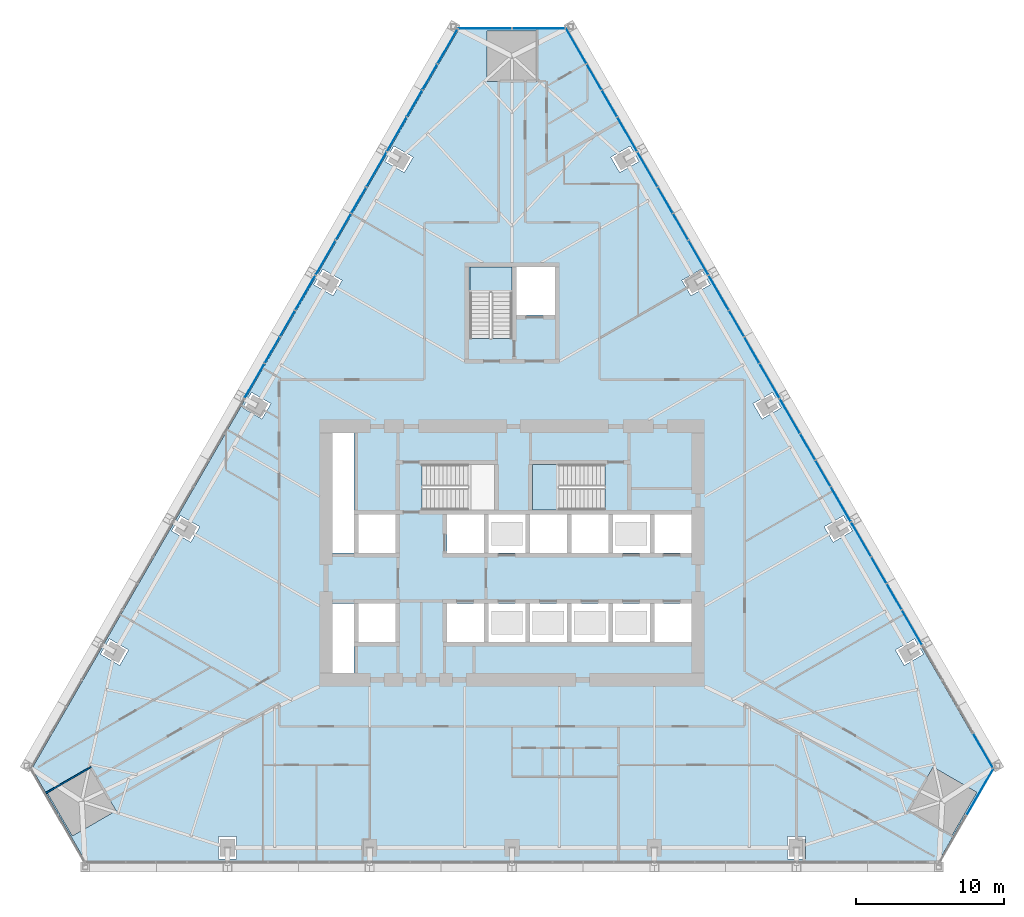
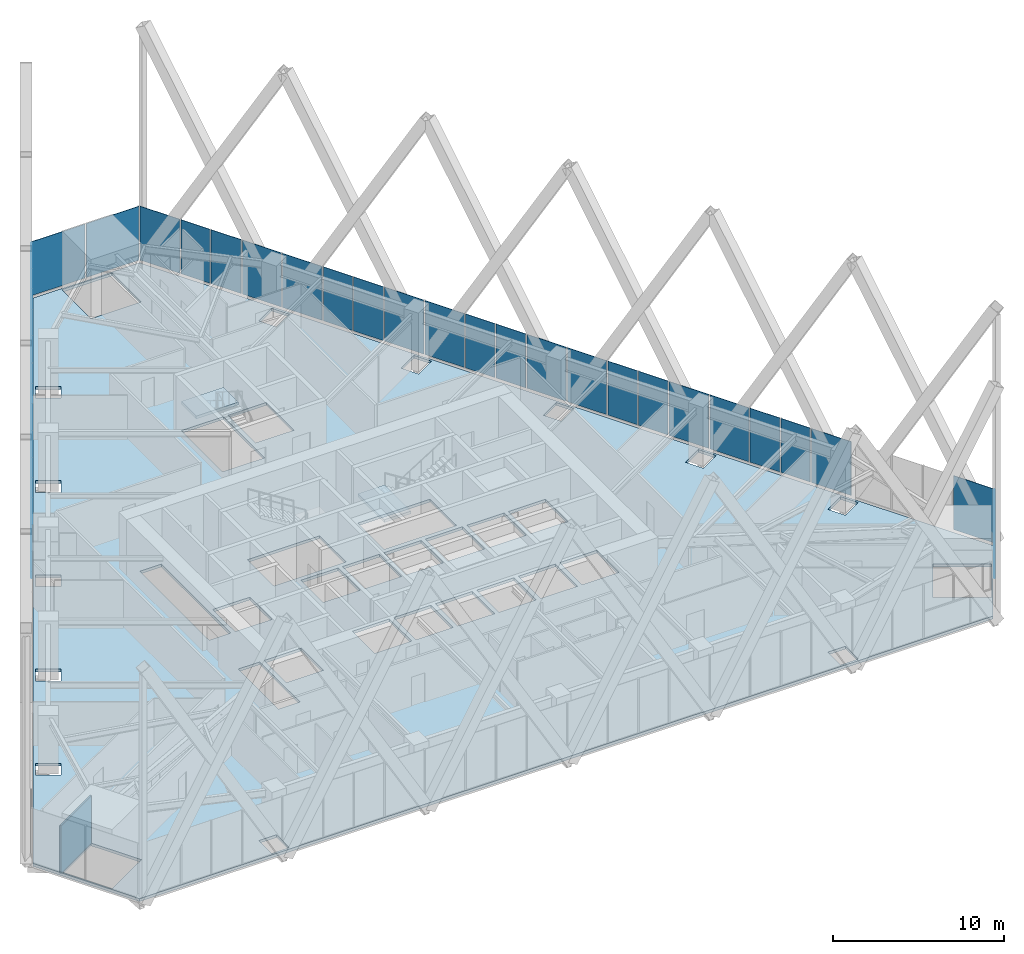
# One storey, part 16 of 26: 36 plates, 3 slabs, 1 wall, 6 elements without a shape of their own.
"""IFC4 building model written with IfcOpenShell, lengths in metres."""

from ifc_helpers import new_model, si_unit, direction, frame, frame_2d, origin, place, context, subcontext, project, spatial, polyline, rectangle, outline, extrude, material, layer, layer_set, type_object, element, aggregate, save


model = new_model("IFC4")

# Units and contexts
model_context = context("Model", 3, precision=1e-05, world=origin(), true_north=direction((0.0, 1.0)))
body_context = subcontext(model_context, "Body", "Model", "MODEL_VIEW")
ifc_project = project(units=[si_unit("LENGTHUNIT", "METRE"), si_unit("AREAUNIT", "SQUARE_METRE"), si_unit("VOLUMEUNIT", "CUBIC_METRE"), si_unit("PLANEANGLEUNIT", "RADIAN"), si_unit("MASSUNIT", "GRAM", prefix="KILO")], contexts=[model_context])

# Site, building, storey
site_placement = place(None, origin())
site = spatial("IfcSite", under=ifc_project, at=site_placement, CompositionType="ELEMENT")
building_placement = place(site_placement, origin())
building = spatial("IfcBuilding", under=site, at=building_placement, Name="Firuza Gate Tower and Library", CompositionType="ELEMENT")
storey_placement = place(building_placement, frame((0.0, 0.0, 40.0)))
storey = spatial("IfcBuildingStorey", under=building, at=storey_placement, Name="L08", CompositionType="ELEMENT", Elevation=40.0)

# Slab
ifc_material_1 = material(Name="Concrete C40/50", Category="concrete")
ifc_layer_1 = layer(ifc_material_1, 0.199951171875)
ifc_layer_set_1 = layer_set([ifc_layer_1], Name="Composite floor slab 200 C40/50")
slab_type_1 = type_object("IfcSlabType", Name="Composite floor slab 200 C40/50", PredefinedType="FLOOR", material=ifc_layer_set_1)
slab_1_placement = place(storey_placement, frame((0.0, 0.0, -0.199951171875)))
element("IfcSlab", 1, at=slab_1_placement, inside=storey, type_object=slab_type_1, Name="Floor slab L08", PredefinedType="FLOOR", context=body_context, shape_type="SweptSolid", body=[
    extrude(outline(polyline([(42.60009765625, 60.45068359375), (46.199951171875, 54.21533203125), (103.800048828125, 54.21533203125), (107.39990234375, 60.45068359375), (78.60009765625, 110.333740234375), (71.39990234375, 110.333740234375), (42.60009765625, 60.45068359375)]), holes=[polyline([(55.199951171875, 54.365478515625), (55.199951171875, 55.865478515625), (56.39990234375, 55.865478515625), (56.39990234375, 54.365478515625), (55.199951171875, 54.365478515625)]), polyline([(43.63671875, 58.855224609375), (46.5810546875, 60.555419921875), (48.281005859375, 57.61083984375), (45.336669921875, 55.910888671875), (43.63671875, 58.855224609375)]), polyline([(47.829833984375, 69.209228515625), (49.12890625, 68.459228515625), (48.529052734375, 67.419921875), (47.22998046875, 68.169921875), (47.829833984375, 69.209228515625)]), polyline([(64.35009765625, 66.89990234375), (62.89990234375, 66.89990234375), (62.89990234375, 71.60009765625), (64.35009765625, 71.60009765625), (64.35009765625, 66.89990234375)]), polyline([(75.89990234375, 69.0), (73.39990234375, 69.0), (73.39990234375, 71.60009765625), (75.89990234375, 71.60009765625), (75.89990234375, 69.0)]), polyline([(73.10009765625, 69.0), (70.60009765625, 69.0), (70.60009765625, 71.60009765625), (73.10009765625, 71.60009765625), (73.10009765625, 69.0)]), polyline([(67.14990234375, 69.0), (64.64990234375, 69.0), (64.64990234375, 71.60009765625), (67.14990234375, 71.60009765625), (67.14990234375, 69.0)]), polyline([(67.14990234375, 75.0), (64.64990234375, 75.0), (64.64990234375, 77.60009765625), (67.14990234375, 77.60009765625), (67.14990234375, 75.0)]), polyline([(75.89990234375, 75.0), (73.39990234375, 75.0), (73.39990234375, 77.60009765625), (75.89990234375, 77.60009765625), (75.89990234375, 75.0)]), polyline([(73.10009765625, 75.0), (70.60009765625, 75.0), (70.60009765625, 77.60009765625), (73.10009765625, 77.60009765625), (73.10009765625, 75.0)]), polyline([(52.6298828125, 77.523193359375), (53.928955078125, 76.773193359375), (53.328857421875, 75.73388671875), (52.02978515625, 76.48388671875), (52.6298828125, 77.523193359375)]), polyline([(64.35009765625, 75.0), (62.89990234375, 75.0), (62.89990234375, 83.10009765625), (64.35009765625, 83.10009765625), (64.35009765625, 75.0)]), polyline([(73.81005859375, 77.89990234375), (68.9404296875, 77.89990234375), (68.9404296875, 80.97998046875), (73.81005859375, 80.97998046875), (73.81005859375, 77.89990234375)]), polyline([(57.429931640625, 85.8369140625), (58.72900390625, 85.0869140625), (58.12890625, 84.047607421875), (56.829833984375, 84.797607421875), (57.429931640625, 85.8369140625)]), polyline([(72.159912109375, 89.470458984375), (72.159912109375, 94.300048828125), (75.0, 94.300048828125), (75.0, 89.470458984375), (72.159912109375, 89.470458984375)]), polyline([(63.529052734375, 93.40087890625), (62.928955078125, 92.361572265625), (61.6298828125, 93.111572265625), (62.22998046875, 94.15087890625), (63.529052734375, 93.40087890625)]), polyline([(68.328857421875, 101.714599609375), (67.72900390625, 100.67529296875), (66.429931640625, 101.42529296875), (67.02978515625, 102.464599609375), (68.328857421875, 101.714599609375)]), polyline([(76.699951171875, 110.23388671875), (76.699951171875, 106.833740234375), (73.300048828125, 106.833740234375), (73.300048828125, 110.23388671875), (76.699951171875, 110.23388671875)]), polyline([(93.60009765625, 54.365478515625), (93.60009765625, 55.865478515625), (94.800048828125, 55.865478515625), (94.800048828125, 54.365478515625), (93.60009765625, 54.365478515625)]), polyline([(104.663330078125, 55.910888671875), (101.718994140625, 57.61083984375), (103.4189453125, 60.555419921875), (106.36328125, 58.855224609375), (104.663330078125, 55.910888671875)]), polyline([(102.77001953125, 68.169921875), (101.470947265625, 67.419921875), (100.87109375, 68.459228515625), (102.170166015625, 69.209228515625), (102.77001953125, 68.169921875)]), polyline([(78.699951171875, 69.0), (76.199951171875, 69.0), (76.199951171875, 71.60009765625), (78.699951171875, 71.60009765625), (78.699951171875, 69.0)]), polyline([(87.10009765625, 69.0), (84.60009765625, 69.0), (84.60009765625, 71.60009765625), (87.10009765625, 71.60009765625), (87.10009765625, 69.0)]), polyline([(84.300048828125, 69.0), (81.800048828125, 69.0), (81.800048828125, 71.60009765625), (84.300048828125, 71.60009765625), (84.300048828125, 69.0)]), polyline([(79.0, 69.0), (79.0, 71.60009765625), (81.5, 71.60009765625), (81.5, 69.0), (79.0, 69.0)]), polyline([(81.800048828125, 75.0), (81.800048828125, 77.60009765625), (84.300048828125, 77.60009765625), (84.300048828125, 75.0), (81.800048828125, 75.0)]), polyline([(81.5, 75.0), (79.0, 75.0), (79.0, 77.60009765625), (81.5, 77.60009765625), (81.5, 75.0)]), polyline([(87.10009765625, 75.0), (84.60009765625, 75.0), (84.60009765625, 77.60009765625), (87.10009765625, 77.60009765625), (87.10009765625, 75.0)]), polyline([(78.699951171875, 75.0), (76.199951171875, 75.0), (76.199951171875, 77.60009765625), (78.699951171875, 77.60009765625), (78.699951171875, 75.0)]), polyline([(97.97021484375, 76.48388671875), (96.671142578125, 75.73388671875), (96.071044921875, 76.773193359375), (97.3701171875, 77.523193359375), (97.97021484375, 76.48388671875)]), polyline([(81.259521484375, 77.89990234375), (76.389892578125, 77.89990234375), (76.389892578125, 80.97998046875), (81.259521484375, 80.97998046875), (81.259521484375, 77.89990234375)]), polyline([(93.170166015625, 84.797607421875), (91.87109375, 84.047607421875), (91.27099609375, 85.0869140625), (92.570068359375, 85.8369140625), (93.170166015625, 84.797607421875)]), polyline([(77.89990234375, 91.050048828125), (75.300048828125, 91.050048828125), (75.300048828125, 94.300048828125), (77.89990234375, 94.300048828125), (77.89990234375, 91.050048828125)]), polyline([(87.071044921875, 92.361572265625), (86.470947265625, 93.40087890625), (87.77001953125, 94.15087890625), (88.3701171875, 93.111572265625), (87.071044921875, 92.361572265625)]), polyline([(82.27099609375, 100.67529296875), (81.671142578125, 101.714599609375), (82.97021484375, 102.464599609375), (83.570068359375, 101.42529296875), (82.27099609375, 100.67529296875)])]), origin(), (0.0, 0.0, 1.0), 0.199951171875),
])

# Curtain wall, plate
ifc_material_2 = material(Name="Aluminium 6063-T6", Category="aluminium")
ifc_layer_2 = layer(ifc_material_2, 0.14990234375)
ifc_layer_set_2 = layer_set([ifc_layer_2], Name="Corner curtain wall, chamfers")
curtain_wall_type_1 = type_object("IfcCurtainWallType", Name="Corner curtain wall, chamfers", PredefinedType="NOTDEFINED", material=ifc_layer_set_2)
placement_1 = place(storey_placement, origin())
curtain_wall_1 = element("IfcCurtainWall", 2, at=placement_1, inside=storey, type_object=curtain_wall_type_1, Name="CW4 L08 SE corner", PredefinedType="NOTDEFINED")
ifc_material_3 = material(Name="Fritted glass", Category="glass")
ifc_layer_3 = layer(ifc_material_3, 0.030029296875)
ifc_layer_set_3 = layer_set([ifc_layer_3], Name="Fritted glass unit, corners")
plate_type_1 = type_object("IfcPlateType", Name="Fritted glass unit, corners", PredefinedType="CURTAIN_PANEL", material=ifc_layer_set_3)
plate_1_placement = place(storey_placement, frame((105.697998046875, 57.32275390625, 0.14990234375), z_axis=(0.866046390552, -0.49996364809, 0.0), x_axis=(0.49996364809, 0.866046390552, 0.0)))
plate_1 = element("IfcPlate", 3, at=plate_1_placement, type_object=plate_type_1, Name="Glass unit", PredefinedType="CURTAIN_PANEL", context=body_context, shape_type="SweptSolid", body=[
    extrude(outline(polyline([(0.0, 0.0), (3.563247342942594, 0.0), (3.563247342942594, 3.85009765625), (0.0, 3.85009765625), (0.0, 0.0)])), origin(), (0.0, 0.0, -1.0), 0.030029296875),
])
aggregate(curtain_wall_1, [plate_1])

# Curtain wall, plates
curtain_wall_2 = element("IfcCurtainWall", 4, at=placement_1, inside=storey, type_object=curtain_wall_type_1, Name="CW4 L08 N corner", PredefinedType="NOTDEFINED")
plate_2_placement = place(storey_placement, frame((78.603271484375, 110.423828125, 0.14990234375), z_axis=(0.0, 1.0, 0.0), x_axis=(-1.0, 0.0, 0.0)))
plate_2 = element("IfcPlate", 5, at=plate_2_placement, type_object=plate_type_1, Name="Glass unit", PredefinedType="CURTAIN_PANEL", context=body_context, shape_type="SweptSolid", body=[
    extrude(outline(polyline([(0.0, 0.0), (3.563232421875, 0.0), (3.563232421875, 3.85009765625), (0.0, 3.85009765625), (0.0, 0.0)])), origin(), (0.0, 0.0, -1.0), 0.030029296875),
])
plate_3_placement = place(storey_placement, frame((74.9599609375, 110.423828125, 0.14990234375), z_axis=(0.0, 1.0, 0.0), x_axis=(-1.0, 0.0, 0.0)))
plate_3 = element("IfcPlate", 6, at=plate_3_placement, type_object=plate_type_1, Name="Glass unit", PredefinedType="CURTAIN_PANEL", context=body_context, shape_type="SweptSolid", body=[
    extrude(outline(polyline([(0.0, 0.0), (3.563232421875, 0.0), (3.563232421875, 3.85009765625), (0.0, 3.85009765625), (0.0, 0.0)])), origin(), (0.0, 0.0, -1.0), 0.030029296875),
])
aggregate(curtain_wall_2, [plate_2, plate_3])

ifc_material_4 = material(Name="Aluminium 6063-T6", Category="aluminium")
ifc_layer_4 = layer(ifc_material_4, 0.14990234375)
ifc_layer_set_4 = layer_set([ifc_layer_4], Name="Unitised curtain wall, offices")
curtain_wall_type_2 = type_object("IfcCurtainWallType", Name="Unitised curtain wall, offices", PredefinedType="NOTDEFINED", material=ifc_layer_set_4)
curtain_wall_3 = element("IfcCurtainWall", 7, at=placement_1, inside=storey, type_object=curtain_wall_type_2, Name="CW1 L08 E face", PredefinedType="NOTDEFINED")
ifc_material_5 = material(Name="Fritted glass", Category="glass")
ifc_layer_5 = layer(ifc_material_5, 0.030029296875)
ifc_layer_set_5 = layer_set([ifc_layer_5], Name="Fritted glass unit, offices")
plate_type_2 = type_object("IfcPlateType", Name="Fritted glass unit, offices", PredefinedType="CURTAIN_PANEL", material=ifc_layer_set_5)
plate_4_placement = place(storey_placement, frame((101.291015625, 71.2119140625, 0.14990234375), z_axis=(0.86602414853, 0.500002174158, 0.0), x_axis=(-0.500002174158, 0.86602414853, 0.0)))
plate_4 = element("IfcPlate", 8, at=plate_4_placement, type_object=plate_type_2, Name="Glass unit", PredefinedType="CURTAIN_PANEL", context=body_context, shape_type="SweptSolid", body=[
    extrude(outline(polyline([(0.0, 0.0), (1.9643469271472958, 0.0), (1.9643469271472958, 3.85009765625), (0.0, 3.85009765625), (0.0, 0.0)])), origin(), (0.0, 0.0, -1.0), 0.030029296875),
])
plate_5_placement = place(storey_placement, frame((100.268798828125, 72.982421875, 0.14990234375), z_axis=(0.866019539041, 0.500010157896, 0.0), x_axis=(-0.500010157896, 0.866019539041, 0.0)))
plate_5 = element("IfcPlate", 9, at=plate_5_placement, type_object=plate_type_2, Name="Glass unit", PredefinedType="CURTAIN_PANEL", context=body_context, shape_type="SweptSolid", body=[
    extrude(outline(polyline([(0.0, 0.0), (2.0077717105269732, 0.0), (2.0077717105269732, 3.85009765625), (0.0, 3.85009765625), (0.0, 0.0)])), origin(), (0.0, 0.0, -1.0), 0.030029296875),
])
plate_6_placement = place(storey_placement, frame((96.490966796875, 79.525634765625, 0.14990234375), z_axis=(0.866025344474, 0.500000102728, 0.0), x_axis=(-0.500000102728, 0.866025344474, 0.0)))
plate_6 = element("IfcPlate", 10, at=plate_6_placement, type_object=plate_type_2, Name="Glass unit", PredefinedType="CURTAIN_PANEL", context=body_context, shape_type="SweptSolid", body=[
    extrude(outline(polyline([(0.0, 0.0), (1.9790034996501018, 0.0), (1.9790034996501018, 3.85009765625), (0.0, 3.85009765625), (0.0, 0.0)])), origin(), (0.0, 0.0, -1.0), 0.030029296875),
])
plate_7_placement = place(storey_placement, frame((95.461669921875, 81.308837890625, 0.14990234375), z_axis=(0.865995903571, 0.500051092388, 0.0), x_axis=(-0.500051092388, 0.865995903571, 0.0)))
plate_7 = element("IfcPlate", 11, at=plate_7_placement, type_object=plate_type_2, Name="Glass unit", PredefinedType="CURTAIN_PANEL", context=body_context, shape_type="SweptSolid", body=[
    extrude(outline(polyline([(0.0, 0.0), (1.9934486436450174, 0.0), (1.9934486436450174, 3.85009765625), (0.0, 3.85009765625), (0.0, 0.0)])), origin(), (0.0, 0.0, -1.0), 0.030029296875),
])
plate_8_placement = place(storey_placement, frame((91.69091796875, 87.839599609375, 0.14990234375), z_axis=(0.86604893727, 0.499959236591, 0.0), x_axis=(-0.499959236591, 0.86604893727, 0.0)))
plate_8 = element("IfcPlate", 12, at=plate_8_placement, type_object=plate_type_2, Name="Glass unit", PredefinedType="CURTAIN_PANEL", context=body_context, shape_type="SweptSolid", body=[
    extrude(outline(polyline([(0.0, 0.0), (1.9933265720713123, 0.0), (1.9933265720713123, 3.85009765625), (0.0, 3.85009765625), (0.0, 0.0)])), origin(), (0.0, 0.0, -1.0), 0.030029296875),
])
plate_9_placement = place(storey_placement, frame((90.654296875, 89.635009765625, 0.14990234375), z_axis=(0.866025344474, 0.500000102728, 0.0), x_axis=(-0.500000102728, 0.866025344474, 0.0)))
plate_9 = element("IfcPlate", 13, at=plate_9_placement, type_object=plate_type_2, Name="Glass unit", PredefinedType="CURTAIN_PANEL", context=body_context, shape_type="SweptSolid", body=[
    extrude(outline(polyline([(0.0, 0.0), (1.9790034996501018, 0.0), (1.9790034996501018, 3.85009765625), (0.0, 3.85009765625), (0.0, 0.0)])), origin(), (0.0, 0.0, -1.0), 0.030029296875),
])
plate_10_placement = place(storey_placement, frame((86.89111328125, 96.1533203125, 0.14990234375), z_axis=(0.866019539041, 0.500010157896, 0.0), x_axis=(-0.500010157896, 0.866019539041, 0.0)))
plate_10 = element("IfcPlate", 14, at=plate_10_placement, type_object=plate_type_2, Name="Glass unit", PredefinedType="CURTAIN_PANEL", context=body_context, shape_type="SweptSolid", body=[
    extrude(outline(polyline([(0.0, 0.0), (2.0077717105269732, 0.0), (2.0077717105269732, 3.85009765625), (0.0, 3.85009765625), (0.0, 0.0)])), origin(), (0.0, 0.0, -1.0), 0.030029296875),
])
plate_11_placement = place(storey_placement, frame((85.84716796875, 97.96142578125, 0.14990234375), z_axis=(0.866001405711, 0.500041563579, 0.0), x_axis=(-0.500041563579, 0.866001405711, 0.0)))
plate_11 = element("IfcPlate", 15, at=plate_11_placement, type_object=plate_type_2, Name="Glass unit", PredefinedType="CURTAIN_PANEL", context=body_context, shape_type="SweptSolid", body=[
    extrude(outline(polyline([(0.0, 0.0), (1.964680431699712, 0.0), (1.964680431699712, 3.850097656250001), (0.0, 3.850097656250001), (0.0, 0.0)])), origin(), (0.0, 0.0, -1.0), 0.030029296875),
])
plate_12_placement = place(storey_placement, frame((82.091064453125, 104.46728515625, 0.14990234375), z_axis=(0.865990557877, 0.500060350025, 0.0), x_axis=(-0.500060350025, 0.865990557877, 0.0)))
plate_12 = element("IfcPlate", 16, at=plate_12_placement, type_object=plate_type_2, Name="Glass unit", PredefinedType="CURTAIN_PANEL", context=body_context, shape_type="SweptSolid", body=[
    extrude(outline(polyline([(0.0, 0.0), (2.022216855824806, 0.0), (2.022216855824806, 3.85009765625), (0.0, 3.85009765625), (0.0, 0.0)])), origin(), (0.0, 0.0, -1.0), 0.030029296875),
])
plate_13_placement = place(storey_placement, frame((81.039794921875, 106.287841796875, 0.14990234375), z_axis=(0.866054235095, 0.49995005938, 0.0), x_axis=(-0.49995005938, 0.866054235095, 0.0)))
plate_13 = element("IfcPlate", 17, at=plate_13_placement, type_object=plate_type_2, Name="Glass unit", PredefinedType="CURTAIN_PANEL", context=body_context, shape_type="SweptSolid", body=[
    extrude(outline(polyline([(0.0, 0.0), (1.9499017898574833, 0.0), (1.9499017898574833, 3.85009765625), (0.0, 3.85009765625), (0.0, 0.0)])), origin(), (0.0, 0.0, -1.0), 0.030029296875),
])

curtain_wall_4 = element("IfcCurtainWall", 18, at=placement_1, inside=storey, type_object=curtain_wall_type_2, Name="CW1 L08 W face", PredefinedType="NOTDEFINED")
plate_14_placement = place(storey_placement, frame((69.93505859375, 107.9765625, 0.14990234375), z_axis=(-0.866054235095, 0.49995005938, 0.0), x_axis=(-0.49995005938, -0.866054235095, 0.0)))
plate_14 = element("IfcPlate", 19, at=plate_14_placement, type_object=plate_type_2, Name="Glass unit", PredefinedType="CURTAIN_PANEL", context=body_context, shape_type="SweptSolid", body=[
    extrude(outline(polyline([(0.0, 0.0), (1.9499017898574833, 0.0), (1.9499017898574833, 3.85009765625), (0.0, 3.85009765625), (0.0, 0.0)])), origin(), (0.0, 0.0, -1.0), 0.030029296875),
])
plate_15_placement = place(storey_placement, frame((68.920166015625, 106.218505859375, 0.14990234375), z_axis=(-0.865990557877, 0.500060350025, 0.0), x_axis=(-0.500060350025, -0.865990557877, 0.0)))
plate_15 = element("IfcPlate", 20, at=plate_15_placement, type_object=plate_type_2, Name="Glass unit", PredefinedType="CURTAIN_PANEL", context=body_context, shape_type="SweptSolid", body=[
    extrude(outline(polyline([(0.0, 0.0), (2.022216855824806, 0.0), (2.022216855824806, 3.85009765625), (0.0, 3.85009765625), (0.0, 0.0)])), origin(), (0.0, 0.0, -1.0), 0.030029296875),
])
plate_16_placement = place(storey_placement, frame((65.13525390625, 99.662841796875, 0.14990234375), z_axis=(-0.866001405711, 0.500041563579, 0.0), x_axis=(-0.500041563579, -0.866001405711, 0.0)))
plate_16 = element("IfcPlate", 21, at=plate_16_placement, type_object=plate_type_2, Name="Glass unit", PredefinedType="CURTAIN_PANEL", context=body_context, shape_type="SweptSolid", body=[
    extrude(outline(polyline([(0.0, 0.0), (1.964680431699712, 0.0), (1.964680431699712, 3.850097656250001), (0.0, 3.850097656250001), (0.0, 0.0)])), origin(), (0.0, 0.0, -1.0), 0.030029296875),
])
plate_17_placement = place(storey_placement, frame((64.11279296875, 97.89208984375, 0.14990234375), z_axis=(-0.866019539041, 0.500010157896, 0.0), x_axis=(-0.500010157896, -0.866019539041, 0.0)))
plate_17 = element("IfcPlate", 22, at=plate_17_placement, type_object=plate_type_2, Name="Glass unit", PredefinedType="CURTAIN_PANEL", context=body_context, shape_type="SweptSolid", body=[
    extrude(outline(polyline([(0.0, 0.0), (2.0077717105269732, 0.0), (2.0077717105269732, 3.85009765625), (0.0, 3.85009765625), (0.0, 0.0)])), origin(), (0.0, 0.0, -1.0), 0.030029296875),
])
plate_18_placement = place(storey_placement, frame((60.335205078125, 91.348876953125, 0.14990234375), z_axis=(-0.866025344474, 0.500000102728, 0.0), x_axis=(-0.500000102728, -0.866025344474, 0.0)))
plate_18 = element("IfcPlate", 23, at=plate_18_placement, type_object=plate_type_2, Name="Glass unit", PredefinedType="CURTAIN_PANEL", context=body_context, shape_type="SweptSolid", body=[
    extrude(outline(polyline([(0.0, 0.0), (1.9790034996501018, 0.0), (1.9790034996501018, 3.85009765625), (0.0, 3.85009765625), (0.0, 0.0)])), origin(), (0.0, 0.0, -1.0), 0.030029296875),
])
plate_19_placement = place(storey_placement, frame((59.3056640625, 89.56591796875, 0.14990234375), z_axis=(-0.86604893727, 0.499959236591, 0.0), x_axis=(-0.499959236591, -0.86604893727, 0.0)))
plate_19 = element("IfcPlate", 24, at=plate_19_placement, type_object=plate_type_2, Name="Glass unit", PredefinedType="CURTAIN_PANEL", context=body_context, shape_type="SweptSolid", body=[
    extrude(outline(polyline([(0.0, 0.0), (1.9933265720713123, 0.0), (1.9933265720713123, 3.85009765625), (0.0, 3.85009765625), (0.0, 0.0)])), origin(), (0.0, 0.0, -1.0), 0.030029296875),
])

# Plate
ifc_material_6 = material(Name="Glazed ceramic tile")
ifc_layer_6 = layer(ifc_material_6, 0.030029296875)
ifc_layer_set_6 = layer_set([ifc_layer_6], Name="Opaque ceramic panel, offices")
plate_type_3 = type_object("IfcPlateType", Name="Opaque ceramic panel, offices", PredefinedType="CURTAIN_PANEL", material=ifc_layer_set_6)
plate_20_placement = place(storey_placement, frame((107.4794921875, 60.492919921875, 0.14990234375), z_axis=(0.866045395139, 0.499965372359, 0.0), x_axis=(-0.499965372359, 0.866045395139, 0.0)))
plate_20 = element("IfcPlate", 25, at=plate_20_placement, type_object=plate_type_3, Name="Opaque ceramic panel", PredefinedType="CURTAIN_PANEL", context=body_context, shape_type="SweptSolid", body=[
    extrude(outline(polyline([(0.0, 0.0), (2.6969641227627226, 0.0), (2.6969641227627226, 3.85009765625), (0.0, 3.85009765625), (0.0, 0.0)])), origin(), (0.0, 0.0, -1.0), 0.030029296875),
])

plate_21_placement = place(storey_placement, frame((102.67236328125, 68.8193359375, 0.14990234375), z_axis=(0.866027971625, 0.499995552344, 0.0), x_axis=(-0.499995552344, 0.866027971625, 0.0)))
plate_21 = element("IfcPlate", 26, at=plate_21_placement, type_object=plate_type_3, Name="Opaque ceramic panel", PredefinedType="CURTAIN_PANEL", context=body_context, shape_type="SweptSolid", body=[
    extrude(outline(polyline([(0.0, 0.0), (2.6826410504291083, 0.0), (2.6826410504291083, 3.85009765625), (0.0, 3.85009765625), (0.0, 0.0)])), origin(), (0.0, 0.0, -1.0), 0.030029296875),
])

plate_22_placement = place(storey_placement, frame((99.224853515625, 74.79052734375, 0.14990234375), z_axis=(0.86605466356, 0.499949317157, 0.0), x_axis=(-0.499949317157, 0.86605466356, 0.0)))
plate_22 = element("IfcPlate", 27, at=plate_22_placement, type_object=plate_type_3, Name="Opaque ceramic panel", PredefinedType="CURTAIN_PANEL", context=body_context, shape_type="SweptSolid", body=[
    extrude(outline(polyline([(0.0, 0.0), (2.639427703649189, 0.0), (2.639427703649189, 3.850097656250001), (0.0, 3.850097656250001), (0.0, 0.0)])), origin(), (0.0, 0.0, -1.0), 0.030029296875),
])

plate_23_placement = place(storey_placement, frame((97.865234375, 77.1455078125, 0.14990234375), z_axis=(0.866010359988, 0.500026055714, 0.0), x_axis=(-0.500026055714, 0.866010359988, 0.0)))
plate_23 = element("IfcPlate", 28, at=plate_23_placement, type_object=plate_type_3, Name="Opaque ceramic panel", PredefinedType="CURTAIN_PANEL", context=body_context, shape_type="SweptSolid", body=[
    extrude(outline(polyline([(0.0, 0.0), (2.668317981388296, 0.0), (2.668317981388296, 3.85009765625), (0.0, 3.85009765625), (0.0, 0.0)])), origin(), (0.0, 0.0, -1.0), 0.030029296875),
])

plate_24_placement = place(storey_placement, frame((94.4248046875, 83.1044921875, 0.14990234375), z_axis=(0.866009391893, 0.500027732385, 0.0), x_axis=(-0.500027732385, 0.866009391893, 0.0)))
plate_24 = element("IfcPlate", 29, at=plate_24_placement, type_object=plate_type_3, Name="Opaque ceramic panel", PredefinedType="CURTAIN_PANEL", context=body_context, shape_type="SweptSolid", body=[
    extrude(outline(polyline([(0.0, 0.0), (2.653661409032231, 0.0), (2.653661409032231, 3.85009765625), (0.0, 3.85009765625), (0.0, 0.0)])), origin(), (0.0, 0.0, -1.0), 0.030029296875),
])

plate_25_placement = place(storey_placement, frame((93.057861328125, 85.471923828125, 0.14990234375), z_axis=(0.866032392051, 0.499987895772, 0.0), x_axis=(-0.499987895772, 0.866032392051, 0.0)))
plate_25 = element("IfcPlate", 30, at=plate_25_placement, type_object=plate_type_3, Name="Opaque ceramic panel", PredefinedType="CURTAIN_PANEL", context=body_context, shape_type="SweptSolid", body=[
    extrude(outline(polyline([(0.0, 0.0), (2.653872839914172, 0.0), (2.653872839914172, 3.8500976562499996), (0.0, 3.8500976562499996), (0.0, 0.0)])), origin(), (0.0, 0.0, -1.0), 0.030029296875),
])

plate_26_placement = place(storey_placement, frame((89.624755859375, 91.418212890625, 0.14990234375), z_axis=(0.866049979421, 0.499957431332, 0.0), x_axis=(-0.499957431332, 0.866049979421, 0.0)))
plate_26 = element("IfcPlate", 31, at=plate_26_placement, type_object=plate_type_3, Name="Opaque ceramic panel", PredefinedType="CURTAIN_PANEL", context=body_context, shape_type="SweptSolid", body=[
    extrude(outline(polyline([(0.0, 0.0), (2.668195913091346, 0.0), (2.668195913091346, 3.850097656250001), (0.0, 3.850097656250001), (0.0, 0.0)])), origin(), (0.0, 0.0, -1.0), 0.030029296875),
])

plate_27_placement = place(storey_placement, frame((88.250732421875, 93.79833984375, 0.14990234375), z_axis=(0.865991484893, 0.500058744641, 0.0), x_axis=(-0.500058744641, 0.865991484893, 0.0)))
plate_27 = element("IfcPlate", 32, at=plate_27_placement, type_object=plate_type_3, Name="Opaque ceramic panel", PredefinedType="CURTAIN_PANEL", context=body_context, shape_type="SweptSolid", body=[
    extrude(outline(polyline([(0.0, 0.0), (2.6393383435308326, 0.0), (2.6393383435308326, 3.85009765625), (0.0, 3.85009765625), (0.0, 0.0)])), origin(), (0.0, 0.0, -1.0), 0.030029296875),
])

plate_28_placement = place(storey_placement, frame((84.824951171875, 99.732177734375, 0.14990234375), z_axis=(0.865988563531, 0.500063803762, 0.0), x_axis=(-0.500063803762, 0.865988563531, 0.0)))
plate_28 = element("IfcPlate", 33, at=plate_28_placement, type_object=plate_type_3, Name="Opaque ceramic panel", PredefinedType="CURTAIN_PANEL", context=body_context, shape_type="SweptSolid", body=[
    extrude(outline(polyline([(0.0, 0.0), (2.6827631279874162, 0.0), (2.6827631279874162, 3.85009765625), (0.0, 3.85009765625), (0.0, 0.0)])), origin(), (0.0, 0.0, -1.0), 0.030029296875),
])

plate_29_placement = place(storey_placement, frame((83.443603515625, 102.124755859375, 0.14990234375), z_axis=(0.866013657776, 0.500020344131, 0.0), x_axis=(-0.500020344131, 0.866013657776, 0.0)))
plate_29 = element("IfcPlate", 34, at=plate_29_placement, type_object=plate_type_3, Name="Opaque ceramic panel", PredefinedType="CURTAIN_PANEL", context=body_context, shape_type="SweptSolid", body=[
    extrude(outline(polyline([(0.0, 0.0), (2.6248931976571157, 0.0), (2.6248931976571157, 3.85009765625), (0.0, 3.85009765625), (0.0, 0.0)])), origin(), (0.0, 0.0, -1.0), 0.030029296875),
])

plate_30_placement = place(storey_placement, frame((80.02490234375, 108.0458984375, 0.14990234375), z_axis=(0.866006197917, 0.500033264063, 0.0), x_axis=(-0.500033264063, 0.866006197917, 0.0)))
plate_30 = element("IfcPlate", 35, at=plate_30_placement, type_object=plate_type_3, Name="Opaque ceramic panel", PredefinedType="CURTAIN_PANEL", context=body_context, shape_type="SweptSolid", body=[
    extrude(outline(polyline([(0.0, 0.0), (2.6970861929089573, 0.0), (2.6970861929089573, 3.8500976562499996), (0.0, 3.8500976562499996), (0.0, 0.0)])), origin(), (0.0, 0.0, -1.0), 0.030029296875),
])

aggregate(curtain_wall_3, [plate_20, plate_21, plate_4, plate_5, plate_22, plate_23, plate_6, plate_7, plate_24, plate_25, plate_8, plate_9, plate_26, plate_27, plate_10, plate_11, plate_28, plate_29, plate_12, plate_13, plate_30])

plate_31_placement = place(storey_placement, frame((71.32373046875, 110.381591796875, 0.14990234375), z_axis=(-0.866006197917, 0.500033264063, 0.0), x_axis=(-0.500033264063, -0.866006197917, 0.0)))
plate_31 = element("IfcPlate", 36, at=plate_31_placement, type_object=plate_type_3, Name="Opaque ceramic panel", PredefinedType="CURTAIN_PANEL", context=body_context, shape_type="SweptSolid", body=[
    extrude(outline(polyline([(0.0, 0.0), (2.6970861929089573, 0.0), (2.6970861929089573, 3.8500976562499996), (0.0, 3.8500976562499996), (0.0, 0.0)])), origin(), (0.0, 0.0, -1.0), 0.030029296875),
])

plate_32_placement = place(storey_placement, frame((67.868896484375, 104.39794921875, 0.14990234375), z_axis=(-0.866013657776, 0.500020344131, 0.0), x_axis=(-0.500020344131, -0.866013657776, 0.0)))
plate_32 = element("IfcPlate", 37, at=plate_32_placement, type_object=plate_type_3, Name="Opaque ceramic panel", PredefinedType="CURTAIN_PANEL", context=body_context, shape_type="SweptSolid", body=[
    extrude(outline(polyline([(0.0, 0.0), (2.6248931976571157, 0.0), (2.6248931976571157, 3.85009765625), (0.0, 3.85009765625), (0.0, 0.0)])), origin(), (0.0, 0.0, -1.0), 0.030029296875),
])

plate_33_placement = place(storey_placement, frame((66.5166015625, 102.055419921875, 0.14990234375), z_axis=(-0.865988563531, 0.500063803762, 0.0), x_axis=(-0.500063803762, -0.865988563531, 0.0)))
plate_33 = element("IfcPlate", 38, at=plate_33_placement, type_object=plate_type_3, Name="Opaque ceramic panel", PredefinedType="CURTAIN_PANEL", context=body_context, shape_type="SweptSolid", body=[
    extrude(outline(polyline([(0.0, 0.0), (2.6827631279874162, 0.0), (2.6827631279874162, 3.85009765625), (0.0, 3.85009765625), (0.0, 0.0)])), origin(), (0.0, 0.0, -1.0), 0.030029296875),
])

plate_34_placement = place(storey_placement, frame((63.069091796875, 96.083984375, 0.14990234375), z_axis=(-0.865991484893, 0.500058744641, 0.0), x_axis=(-0.500058744641, -0.865991484893, 0.0)))
plate_34 = element("IfcPlate", 39, at=plate_34_placement, type_object=plate_type_3, Name="Opaque ceramic panel", PredefinedType="CURTAIN_PANEL", context=body_context, shape_type="SweptSolid", body=[
    extrude(outline(polyline([(0.0, 0.0), (2.6393383435308326, 0.0), (2.6393383435308326, 3.85009765625), (0.0, 3.85009765625), (0.0, 0.0)])), origin(), (0.0, 0.0, -1.0), 0.030029296875),
])

plate_35_placement = place(storey_placement, frame((61.709228515625, 93.72900390625, 0.14990234375), z_axis=(-0.866049979421, 0.499957431332, 0.0), x_axis=(-0.499957431332, -0.866049979421, 0.0)))
plate_35 = element("IfcPlate", 40, at=plate_35_placement, type_object=plate_type_3, Name="Opaque ceramic panel", PredefinedType="CURTAIN_PANEL", context=body_context, shape_type="SweptSolid", body=[
    extrude(outline(polyline([(0.0, 0.0), (2.668195913091346, 0.0), (2.668195913091346, 3.850097656250001), (0.0, 3.850097656250001), (0.0, 0.0)])), origin(), (0.0, 0.0, -1.0), 0.030029296875),
])

plate_36_placement = place(storey_placement, frame((58.26904296875, 87.770263671875, 0.14990234375), z_axis=(-0.866032392051, 0.499987895772, 0.0), x_axis=(-0.499987895772, -0.866032392051, 0.0)))
plate_36 = element("IfcPlate", 41, at=plate_36_placement, type_object=plate_type_3, Name="Opaque ceramic panel", PredefinedType="CURTAIN_PANEL", context=body_context, shape_type="SweptSolid", body=[
    extrude(outline(polyline([(0.0, 0.0), (2.653872839914172, 0.0), (2.653872839914172, 3.8500976562499996), (0.0, 3.8500976562499996), (0.0, 0.0)])), origin(), (0.0, 0.0, -1.0), 0.030029296875),
])

aggregate(curtain_wall_4, [plate_31, plate_14, plate_15, plate_32, plate_33, plate_16, plate_17, plate_34, plate_35, plate_18, plate_19, plate_36])

# Stair, slab
ifc_material_7 = material(Name="Concrete C35/45", Category="concrete")
stair_type_1 = type_object("IfcStairType", Name="Exit stair ST5", PredefinedType="HALF_TURN_STAIR", material=ifc_material_7)
stair_1 = element("IfcStair", 42, at=placement_1, inside=storey, type_object=stair_type_1, Name="L08 Stair ST2", PredefinedType="HALF_TURN_STAIR")
ifc_material_8 = material(Name="Concrete C35/45", Category="concrete")
ifc_layer_7 = layer(ifc_material_8, 0.199951171875)
ifc_layer_set_7 = layer_set([ifc_layer_7], Name="Stair landing 200")
slab_type_2 = type_object("IfcSlabType", Name="Stair landing 200", PredefinedType="LANDING", material=ifc_layer_set_7)
placement_2 = place(storey_placement, frame((0.0, 0.0, 1.89990234375)))
slab_2 = element("IfcSlab", 43, at=placement_2, type_object=slab_type_2, Name="ST2 landing 1", PredefinedType="LANDING", context=body_context, shape_type="SweptSolid", body=[
    extrude(outline(polyline([(78.179931640625, 80.97998046875), (76.389892578125, 80.97998046875), (76.389892578125, 77.89990234375), (78.179931640625, 77.89990234375), (78.179931640625, 80.97998046875)])), origin(), (0.0, 0.0, 1.0), 0.2001953125),
])
aggregate(stair_1, [slab_2])

ifc_material_9 = material(Name="Concrete C35/45", Category="concrete")
stair_type_2 = type_object("IfcStairType", Name="Exit stair ST14", PredefinedType="HALF_TURN_STAIR", material=ifc_material_9)
stair_2 = element("IfcStair", 44, at=placement_1, inside=storey, type_object=stair_type_2, Name="L08 Stair ST3", PredefinedType="HALF_TURN_STAIR")
slab_3 = element("IfcSlab", 45, at=placement_2, type_object=slab_type_2, Name="ST3 landing 1", PredefinedType="LANDING", context=body_context, shape_type="SweptSolid", body=[
    extrude(outline(polyline([(75.0, 92.550048828125), (75.0, 94.300048828125), (72.159912109375, 94.300048828125), (72.159912109375, 92.550048828125), (75.0, 92.550048828125)])), origin(), (0.0, 0.0, 1.0), 0.2001953125),
])
aggregate(stair_2, [slab_3])

# Wall
ifc_material_10 = material(Name="Gypsum board partition")
ifc_layer_8 = layer(ifc_material_10, 0.10009765625)
ifc_layer_set_8 = layer_set([ifc_layer_8], Name="Partition 100 gypsum board on steel studs")
wall_type = type_object("IfcWallType", Name="Partition 100 gypsum board on steel studs", PredefinedType="PARTITIONING", material=ifc_layer_set_8)
wall_placement = place(storey_placement, frame((43.498291015625, 58.77490234375, 0.0), z_axis=(0.0, 0.0, 1.0), x_axis=(0.866014251095, 0.500019316528, 0.0)))
element("IfcWall", 46, at=wall_placement, inside=storey, type_object=wall_type, Name="f:L08:w018", PredefinedType="PARTITIONING", context=body_context, shape_type="SweptSolid", body=[
    extrude(rectangle(XDim=3.559326171875, YDim=0.10009765625, at=frame_2d((1.77978515625, 0.0))), origin(), (0.0, 0.0, 1.0), 3.39990234375),
])

save(model, "model.ifc")
